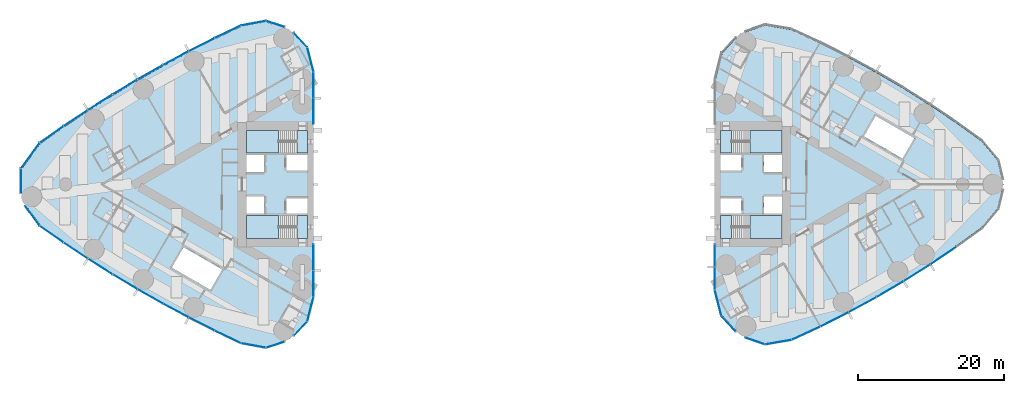
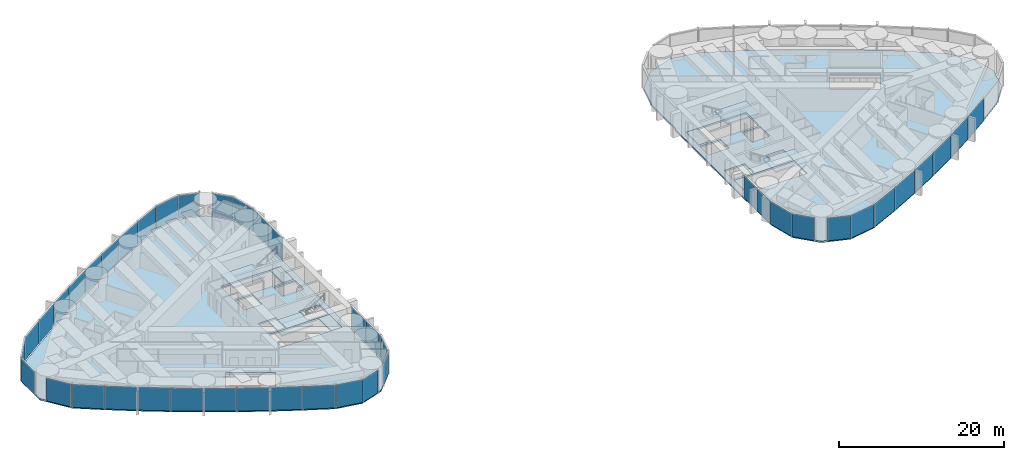
# One storey, part 10 of 19: 43 plates, 10 slabs, 10 elements without a shape of their own.
"""IFC4 building model written with IfcOpenShell, lengths in metres."""

import ifcopenshell
import ifcopenshell.guid

model = None  # the IFC model being written
_history = None  # IfcOwnerHistory: only IFC2X3 demands one
_inside = {}  # id of a spatial element -> (the spatial element, [elements in it])
_under = {}  # id of a project, library or spatial element -> (it, [spatial elements below it])
_declared = {}  # id of a project -> (the project, [libraries it declares])
_typed = {}  # id of a type object -> (the type object, [elements of that type])
_made_of = {}  # id of a material, layer set ... -> (it, [elements and type objects made of it])


def new_model(schema):
    """Start an empty IFC model of exactly this schema.

    Asked for "IFC4X3", IfcOpenShell would pick the latest addendum, in which some entities
    have other attributes; the version numbers below select the first issue.
    IFC2X3 requires an IfcOwnerHistory on every rooted entity: one is made here for all.
    """
    global model, _history
    if schema == "IFC4X3":
        model = ifcopenshell.file(schema_version=(4, 3, 0, 0))
    else:
        model = ifcopenshell.file(schema=schema)
    _inside.clear()
    _under.clear()
    _declared.clear()
    _typed.clear()
    _made_of.clear()
    _history = None
    if model.schema == "IFC2X3":
        org = make("IfcOrganization", Name="unknown")
        user = make(
            "IfcPersonAndOrganization",
            ThePerson=make("IfcPerson", FamilyName="unknown"),
            TheOrganization=org,
        )
        app = make(
            "IfcApplication",
            ApplicationDeveloper=org,
            Version="unknown",
            ApplicationFullName="unknown",
            ApplicationIdentifier="unknown",
        )
        _history = make(
            "IfcOwnerHistory",
            OwningUser=user,
            OwningApplication=app,
            ChangeAction="ADDED",
            CreationDate=0,
        )
    return model


def make(cls, **values):
    """One entity of the class cls with the attributes given. An attribute that is None is left unset."""
    return model.create_entity(
        cls, **{name: value for name, value in values.items() if value is not None}
    )


def rooted(cls, **values):
    """An entity with a GlobalId (a new one), such as an element, a storey or a relation."""
    return make(cls, GlobalId=ifcopenshell.guid.new(), OwnerHistory=_history, **values)


def si_unit(unit_type, name, prefix=None):
    """IfcSIUnit, for example si_unit("LENGTHUNIT", "METRE", prefix="MILLI")."""
    return make("IfcSIUnit", UnitType=unit_type, Prefix=prefix, Name=name)


def assignment(units):
    """IfcUnitAssignment: the units of a project."""
    return None if units is None else make("IfcUnitAssignment", Units=units)


def point(xyz):
    """IfcCartesianPoint."""
    return None if xyz is None else make("IfcCartesianPoint", Coordinates=xyz)


def direction(xyz):
    """IfcDirection."""
    return None if xyz is None else make("IfcDirection", DirectionRatios=xyz)


def frame(location, z_axis=None, x_axis=None):
    """IfcAxis2Placement3D, a coordinate frame: its origin and axes. An axis left out is left unset."""
    return make(
        "IfcAxis2Placement3D",
        Location=point(location),
        Axis=direction(z_axis),
        RefDirection=direction(x_axis),
    )


def frame_2d(location, x_axis=None):
    """IfcAxis2Placement2D, a coordinate frame in the plane: its origin and x axis."""
    return make(
        "IfcAxis2Placement2D", Location=point(location), RefDirection=direction(x_axis)
    )


def origin():
    """The frame at (0, 0, 0) with its axes left unset."""
    return frame((0.0, 0.0, 0.0))


def origin_2d():
    """The frame at (0, 0) in the plane with its x axis left unset."""
    return frame_2d((0.0, 0.0))


def place(relative_to, where):
    """IfcLocalPlacement: puts the frame where relative to a parent placement (None: the world)."""
    return make(
        "IfcLocalPlacement", PlacementRelTo=relative_to, RelativePlacement=where
    )


def context(
    kind, dimensions, precision=None, world=None, true_north=None, identifier=None
):
    """IfcGeometricRepresentationContext, for example the 3D "Model" context."""
    return make(
        "IfcGeometricRepresentationContext",
        ContextIdentifier=identifier,
        ContextType=kind,
        CoordinateSpaceDimension=dimensions,
        Precision=precision,
        WorldCoordinateSystem=world,
        TrueNorth=true_north,
    )


def subcontext(parent, identifier, kind, view, scale=None):
    """IfcGeometricRepresentationSubContext, for example "Body" below "Model"."""
    return make(
        "IfcGeometricRepresentationSubContext",
        ContextIdentifier=identifier,
        ContextType=kind,
        ParentContext=parent,
        TargetScale=scale,
        TargetView=view,
    )


def project(units=None, contexts=None):
    """IfcProject with its units and contexts."""
    return rooted(
        "IfcProject",
        Name="project",
        RepresentationContexts=contexts,
        UnitsInContext=assignment(units),
    )


def spatial(cls, under=None, at=None, **own):
    """A site, building, storey or space (cls), placed at a placement, below another one or the project."""
    s = rooted(cls, ObjectPlacement=at, **own)
    if under is not None:
        _under.setdefault(under.id(), (under, []))[1].append(s)
    return s


def polyline(points):
    """IfcPolyline through the points."""
    return make("IfcPolyline", Points=[point(p) for p in points])


def profile(cls, at=None, kind="AREA", **sizes):
    """A parametric profile (cls). Its sizes go by their IFC names, for example OverallWidth=200.0."""
    return make(cls, ProfileType=kind, Position=at, **sizes)


def rectangle(**sizes):
    """IfcRectangleProfileDef."""
    return profile("IfcRectangleProfileDef", **sizes)


def outline(outer, holes=None, kind="AREA"):
    """IfcArbitraryClosedProfileDef: a profile drawn as a closed curve; with holes, ...WithVoids."""
    if holes is None:
        return make("IfcArbitraryClosedProfileDef", ProfileType=kind, OuterCurve=outer)
    return make(
        "IfcArbitraryProfileDefWithVoids",
        ProfileType=kind,
        OuterCurve=outer,
        InnerCurves=holes,
    )


def extrude(swept, where, along, depth):
    """IfcExtrudedAreaSolid: the profile swept, set in the frame where, extruded along a direction by depth."""
    return make(
        "IfcExtrudedAreaSolid",
        SweptArea=swept,
        Position=where,
        ExtrudedDirection=direction(along),
        Depth=depth,
    )


def shape(context_of_items, identifier, shape_type, items):
    """IfcShapeRepresentation: the items that make up one representation, for example the "Body"."""
    return make(
        "IfcShapeRepresentation",
        ContextOfItems=context_of_items,
        RepresentationIdentifier=identifier,
        RepresentationType=shape_type,
        Items=items,
    )


def material(Name=None, Category=None):
    """IfcMaterial."""
    return make("IfcMaterial", Name=Name, Category=Category)


def layer(
    of_material, thickness, ventilated=None, Name=None, Category=None, Priority=None
):
    """IfcMaterialLayer: one layer of a wall or slab, of a material (None: an air gap)."""
    return make(
        "IfcMaterialLayer",
        Material=of_material,
        LayerThickness=thickness,
        IsVentilated=ventilated,
        Name=Name,
        Category=Category,
        Priority=Priority,
    )


def layer_set(layers, Name=None):
    """IfcMaterialLayerSet."""
    return make("IfcMaterialLayerSet", MaterialLayers=layers, LayerSetName=Name)


def made_of(thing, what):
    """Note that an element or type object is made of a material, layer set ...; save() writes the relation."""
    if what is not None:
        _made_of.setdefault(what.id(), (what, []))[1].append(thing)
    return thing


def type_object(cls, material=None, **own):
    """A type object (cls), such as IfcWallType, which elements share."""
    return made_of(rooted(cls, **own), material)


def element(
    cls,
    number,
    at=None,
    inside=None,
    cuts=None,
    type_object=None,
    material=None,
    context=None,
    identifier="Body",
    shape_type=None,
    held_by="IfcProductDefinitionShape",
    body=None,
    shapes=None,
    **own,
):
    """One element of the class cls, such as IfcWall. Its Tag is "e" and its number.

    at: its placement. inside: the storey or other place that contains it. cuts: it is an
    opening in that element (IfcRelVoidsElement). A single representation is given by context,
    identifier, shape_type and body (its items); several are given by shapes. held_by: the class
    of the entity that holds the representations. save() writes the other relations.
    """
    e = rooted(cls, Tag="e%d" % number, ObjectPlacement=at, **own)
    if body is not None:
        shapes = [shape(context, identifier, shape_type, body)]
    if shapes is not None:
        e.Representation = make(held_by, Representations=shapes)
    if inside is not None:
        _inside.setdefault(inside.id(), (inside, []))[1].append(e)
    if cuts is not None:
        rooted(
            "IfcRelVoidsElement", RelatingBuildingElement=cuts, RelatedOpeningElement=e
        )
    if type_object is not None:
        _typed.setdefault(type_object.id(), (type_object, []))[1].append(e)
    return made_of(e, material)


def aggregate(whole, parts):
    """IfcRelAggregates: a whole, such as a stair, and the parts it consists of."""
    return rooted("IfcRelAggregates", RelatingObject=whole, RelatedObjects=parts)


def save(model, path):
    """Write the relations noted so far, then the file.

    IfcRelAggregates (storeys below a building ...), IfcRelContainedInSpatialStructure (elements
    in a storey), IfcRelDefinesByType, IfcRelAssociatesMaterial and IfcRelDeclares: one each for
    every whole, place, type object, material and project.
    """
    for whole, parts in _under.values():
        aggregate(whole, parts)
    for where, things in _inside.values():
        rooted(
            "IfcRelContainedInSpatialStructure",
            RelatedElements=things,
            RelatingStructure=where,
        )
    for kind, things in _typed.values():
        rooted("IfcRelDefinesByType", RelatedObjects=things, RelatingType=kind)
    for what, things in _made_of.values():
        rooted("IfcRelAssociatesMaterial", RelatedObjects=things, RelatingMaterial=what)
    for by, libraries in _declared.values():
        rooted("IfcRelDeclares", RelatingContext=by, RelatedDefinitions=libraries)
    model.write(path)


model = new_model("IFC4")

# Units and contexts
model_context = context("Model", 3, precision=1e-05, world=origin(), true_north=direction((0.0, 1.0)))
body_context = subcontext(model_context, "Body", "Model", "MODEL_VIEW")
ifc_project = project(units=[si_unit("LENGTHUNIT", "METRE"), si_unit("AREAUNIT", "SQUARE_METRE"), si_unit("VOLUMEUNIT", "CUBIC_METRE"), si_unit("PLANEANGLEUNIT", "RADIAN"), si_unit("MASSUNIT", "GRAM", prefix="KILO")], contexts=[model_context])

# Site, building, storey
site_placement = place(None, origin())
site = spatial("IfcSite", under=ifc_project, at=site_placement, CompositionType="ELEMENT")
building_placement = place(site_placement, origin())
building = spatial("IfcBuilding", under=site, at=building_placement, Name="Lancet Gate Hotel", CompositionType="ELEMENT")
storey_placement = place(building_placement, frame((0.0, 0.0, 163.300048828125)))
storey = spatial("IfcBuildingStorey", under=building, at=storey_placement, Name="L43", CompositionType="ELEMENT", Elevation=163.300048828125)

# Slabs
ifc_material_1 = material(Name="Concrete C50/60", Category="concrete")
ifc_layer_1 = layer(ifc_material_1, 0.25)
ifc_layer_set_1 = layer_set([ifc_layer_1], Name="Floor slab 250")
slab_type_1 = type_object("IfcSlabType", Name="Floor slab 250", PredefinedType="FLOOR", material=ifc_layer_set_1)
slab_1_placement = place(storey_placement, frame((0.0, 0.0, -0.25)))
element("IfcSlab", 1, at=slab_1_placement, inside=storey, type_object=slab_type_1, Name="T1 L43 floor slab", PredefinedType="FLOOR", context=body_context, shape_type="SweptSolid", body=[
    extrude(outline(polyline([(-27.5, 8.60009765625), (-27.6201171875, 8.60009765625), (-27.6201171875, 15.408203125), (-28.46923828125, 18.7265625), (-30.797607421875, 21.217529296875), (-34.0361328125, 22.283935546875), (-37.403564453125, 21.660400390625), (-40.996826171875, 19.9453125), (-44.561767578125, 18.139404296875), (-48.0830078125, 16.250244140625), (-51.558837890625, 14.27880859375), (-54.987548828125, 12.22607421875), (-58.366943359375, 10.09326171875), (-61.695068359375, 7.881591796875), (-64.955322265625, 5.602783203125), (-67.49560546875, 2.138427734375), (-67.49560546875, -2.138427734375), (-64.955322265625, -5.602783203125), (-61.695068359375, -7.881591796875), (-58.366943359375, -10.09326171875), (-54.987548828125, -12.22607421875), (-51.558837890625, -14.27880859375), (-48.0830078125, -16.250244140625), (-44.561767578125, -18.139404296875), (-40.996826171875, -19.9453125), (-37.403564453125, -21.660400390625), (-34.0361328125, -22.283935546875), (-30.797607421875, -21.217529296875), (-28.46923828125, -18.7265625), (-27.6201171875, -15.408203125), (-27.6201171875, -8.60009765625), (-27.5, -8.60009765625), (-27.5, -8.199951171875), (-27.5, 8.199951171875), (-27.5, 8.60009765625)]), holes=[polyline([(-36.699951171875, 7.39990234375), (-36.699951171875, 4.300048828125), (-28.300048828125, 4.300048828125), (-28.300048828125, 7.39990234375), (-36.699951171875, 7.39990234375)]), polyline([(-28.300048828125, 4.0), (-31.199951171875, 4.0), (-31.199951171875, 1.89990234375), (-28.300048828125, 1.89990234375), (-28.300048828125, 4.0)]), polyline([(-34.25, 4.0), (-36.699951171875, 4.0), (-36.699951171875, 1.64990234375), (-34.25, 1.64990234375), (-34.25, 4.0)]), polyline([(-36.699951171875, -1.64990234375), (-36.699951171875, -4.0), (-34.25, -4.0), (-34.25, -1.64990234375), (-36.699951171875, -1.64990234375)]), polyline([(-28.300048828125, -1.89990234375), (-31.199951171875, -1.89990234375), (-31.199951171875, -4.0), (-28.300048828125, -4.0), (-28.300048828125, -1.89990234375)]), polyline([(-28.300048828125, -4.300048828125), (-36.699951171875, -4.300048828125), (-36.699951171875, -7.39990234375), (-28.300048828125, -7.39990234375), (-28.300048828125, -4.300048828125)]), polyline([(-45.319091796875, -8.631103515625), (-46.9189453125, -11.402099609375), (-41.635986328125, -14.451904296875), (-40.035888671875, -11.680908203125), (-45.319091796875, -8.631103515625)])]), origin(), (0.0, 0.0, 1.0), 0.25),
])
slab_2_placement = place(storey_placement, frame((0.0, 0.0, -0.25)))
element("IfcSlab", 2, at=slab_2_placement, inside=storey, type_object=slab_type_1, Name="T2 L43 floor slab", PredefinedType="FLOOR", context=body_context, shape_type="SweptSolid", body=[
    extrude(outline(polyline([(27.5, -8.60009765625), (27.6201171875, -8.60009765625), (27.6201171875, -14.450439453125), (28.517822265625, -17.9853515625), (30.98291015625, -20.65185546875), (34.421875, -21.819091796875), (38.01513671875, -21.201171875), (41.9296875, -19.383056640625), (45.796875, -17.435302734375), (49.6005859375, -15.36572265625), (53.336669921875, -13.1767578125), (57.00146484375, -10.87060546875), (60.591552734375, -8.44921875), (64.092041015625, -5.9228515625), (66.283447265625, -3.307373046875), (67.06640625, 0.0), (66.283447265625, 3.307373046875), (64.092041015625, 5.9228515625), (60.591552734375, 8.44921875), (57.00146484375, 10.87060546875), (53.336669921875, 13.1767578125), (49.6005859375, 15.36572265625), (45.796875, 17.435302734375), (41.9296875, 19.383056640625), (38.01513671875, 21.201171875), (34.421875, 21.819091796875), (30.98291015625, 20.65185546875), (28.517822265625, 17.9853515625), (27.6201171875, 14.450439453125), (27.6201171875, 8.60009765625), (27.5, 8.60009765625), (27.5, 8.199951171875), (27.5, -8.199951171875), (27.5, -8.60009765625)]), holes=[polyline([(36.699951171875, -7.39990234375), (36.699951171875, -4.300048828125), (28.300048828125, -4.300048828125), (28.300048828125, -7.39990234375), (36.699951171875, -7.39990234375)]), polyline([(28.300048828125, -4.0), (31.199951171875, -4.0), (31.199951171875, -1.89990234375), (28.300048828125, -1.89990234375), (28.300048828125, -4.0)]), polyline([(34.25, -4.0), (36.699951171875, -4.0), (36.699951171875, -1.64990234375), (34.25, -1.64990234375), (34.25, -4.0)]), polyline([(36.699951171875, 1.64990234375), (36.699951171875, 4.0), (34.25, 4.0), (34.25, 1.64990234375), (36.699951171875, 1.64990234375)]), polyline([(28.300048828125, 1.89990234375), (31.199951171875, 1.89990234375), (31.199951171875, 4.0), (28.300048828125, 4.0), (28.300048828125, 1.89990234375)]), polyline([(28.300048828125, 4.300048828125), (36.699951171875, 4.300048828125), (36.699951171875, 7.39990234375), (28.300048828125, 7.39990234375), (28.300048828125, 4.300048828125)]), polyline([(53.242919921875, 3.555908203125), (54.843017578125, 6.326904296875), (49.56103515625, 9.376953125), (47.9609375, 6.60595703125), (53.242919921875, 3.555908203125)])]), origin(), (0.0, 0.0, 1.0), 0.25),
])

# Stair, slabs
ifc_material_2 = material(Name="Exit stair 20 risers 1500")
stair_type = type_object("IfcStairType", Name="Exit stair 20 risers 1500", PredefinedType="HALF_TURN_STAIR", material=ifc_material_2)
stair_1_placement = place(storey_placement, origin())
stair_1 = element("IfcStair", 3, at=stair_1_placement, inside=storey, type_object=stair_type, Name="T1 stair 1 L43", PredefinedType="HALF_TURN_STAIR")
ifc_material_3 = material(Name="Concrete C40/50", Category="concrete")
ifc_layer_2 = layer(ifc_material_3, 0.199951171875)
ifc_layer_set_2 = layer_set([ifc_layer_2], Name="Stair landing 200")
slab_type_2 = type_object("IfcSlabType", Name="Stair landing 200", PredefinedType="LANDING", material=ifc_layer_set_2)
slab_3_placement = place(storey_placement, frame((0.0, 0.0, -0.199951171875)))
slab_3 = element("IfcSlab", 4, at=slab_3_placement, type_object=slab_type_2, Name="ST1 landing 1", PredefinedType="LANDING", context=body_context, shape_type="SweptSolid", body=[
    extrude(outline(polyline([(-28.300048828125, 7.39990234375), (-29.800048828125, 7.39990234375), (-29.800048828125, 4.300048828125), (-28.300048828125, 4.300048828125), (-28.300048828125, 7.39990234375)])), origin(), (0.0, 0.0, 1.0), 0.199951171875),
])
slab_4_placement = place(storey_placement, frame((0.0, 0.0, 1.550048828125)))
slab_4 = element("IfcSlab", 5, at=slab_4_placement, type_object=slab_type_2, Name="ST1 landing 2", PredefinedType="LANDING", context=body_context, shape_type="SweptSolid", body=[
    extrude(outline(polyline([(-32.320068359375, 7.39990234375), (-36.699951171875, 7.39990234375), (-36.699951171875, 4.300048828125), (-32.320068359375, 4.300048828125), (-32.320068359375, 7.39990234375)])), origin(), (0.0, 0.0, 1.0), 0.199951171875),
])
aggregate(stair_1, [slab_3, slab_4])

stair_2_placement = place(storey_placement, origin())
stair_2 = element("IfcStair", 6, at=stair_2_placement, inside=storey, type_object=stair_type, Name="T1 stair 2 L43", PredefinedType="HALF_TURN_STAIR")
slab_5_placement = place(storey_placement, frame((0.0, 0.0, -0.199951171875)))
slab_5 = element("IfcSlab", 7, at=slab_5_placement, type_object=slab_type_2, Name="ST2 landing 1", PredefinedType="LANDING", context=body_context, shape_type="SweptSolid", body=[
    extrude(outline(polyline([(-28.300048828125, -4.300048828125), (-29.800048828125, -4.300048828125), (-29.800048828125, -7.39990234375), (-28.300048828125, -7.39990234375), (-28.300048828125, -4.300048828125)])), origin(), (0.0, 0.0, 1.0), 0.199951171875),
])
slab_6_placement = place(storey_placement, frame((0.0, 0.0, 1.550048828125)))
slab_6 = element("IfcSlab", 8, at=slab_6_placement, type_object=slab_type_2, Name="ST2 landing 2", PredefinedType="LANDING", context=body_context, shape_type="SweptSolid", body=[
    extrude(outline(polyline([(-32.320068359375, -4.300048828125), (-36.699951171875, -4.300048828125), (-36.699951171875, -7.39990234375), (-32.320068359375, -7.39990234375), (-32.320068359375, -4.300048828125)])), origin(), (0.0, 0.0, 1.0), 0.199951171875),
])
aggregate(stair_2, [slab_5, slab_6])

stair_3_placement = place(storey_placement, origin())
stair_3 = element("IfcStair", 9, at=stair_3_placement, inside=storey, type_object=stair_type, Name="T2 stair 1 L43", PredefinedType="HALF_TURN_STAIR")
slab_7_placement = place(storey_placement, frame((0.0, 0.0, -0.199951171875)))
slab_7 = element("IfcSlab", 10, at=slab_7_placement, type_object=slab_type_2, Name="ST3 landing 1", PredefinedType="LANDING", context=body_context, shape_type="SweptSolid", body=[
    extrude(outline(polyline([(28.300048828125, -7.39990234375), (29.800048828125, -7.39990234375), (29.800048828125, -4.300048828125), (28.300048828125, -4.300048828125), (28.300048828125, -7.39990234375)])), origin(), (0.0, 0.0, 1.0), 0.199951171875),
])
slab_8_placement = place(storey_placement, frame((0.0, 0.0, 1.550048828125)))
slab_8 = element("IfcSlab", 11, at=slab_8_placement, type_object=slab_type_2, Name="ST3 landing 2", PredefinedType="LANDING", context=body_context, shape_type="SweptSolid", body=[
    extrude(outline(polyline([(32.320068359375, -7.39990234375), (36.699951171875, -7.39990234375), (36.699951171875, -4.300048828125), (32.320068359375, -4.300048828125), (32.320068359375, -7.39990234375)])), origin(), (0.0, 0.0, 1.0), 0.199951171875),
])
aggregate(stair_3, [slab_7, slab_8])

stair_4_placement = place(storey_placement, origin())
stair_4 = element("IfcStair", 12, at=stair_4_placement, inside=storey, type_object=stair_type, Name="T2 stair 2 L43", PredefinedType="HALF_TURN_STAIR")
slab_9_placement = place(storey_placement, frame((0.0, 0.0, -0.199951171875)))
slab_9 = element("IfcSlab", 13, at=slab_9_placement, type_object=slab_type_2, Name="ST4 landing 1", PredefinedType="LANDING", context=body_context, shape_type="SweptSolid", body=[
    extrude(outline(polyline([(28.300048828125, 4.300048828125), (29.800048828125, 4.300048828125), (29.800048828125, 7.39990234375), (28.300048828125, 7.39990234375), (28.300048828125, 4.300048828125)])), origin(), (0.0, 0.0, 1.0), 0.199951171875),
])
slab_10_placement = place(storey_placement, frame((0.0, 0.0, 1.550048828125)))
slab_10 = element("IfcSlab", 14, at=slab_10_placement, type_object=slab_type_2, Name="ST4 landing 2", PredefinedType="LANDING", context=body_context, shape_type="SweptSolid", body=[
    extrude(outline(polyline([(32.320068359375, 4.300048828125), (36.699951171875, 4.300048828125), (36.699951171875, 7.39990234375), (32.320068359375, 7.39990234375), (32.320068359375, 4.300048828125)])), origin(), (0.0, 0.0, 1.0), 0.199951171875),
])
aggregate(stair_4, [slab_9, slab_10])

# Curtain wall, plates
ifc_material_4 = material(Name="Aluminium curtain wall", Category="aluminium")
curtain_wall_type = type_object("IfcCurtainWallType", Name="Tower unitised curtain wall", PredefinedType="USERDEFINED", material=ifc_material_4)
curtain_wall_1_placement = place(storey_placement, origin())
curtain_wall_1 = element("IfcCurtainWall", 15, at=curtain_wall_1_placement, inside=storey, type_object=curtain_wall_type, Name="T1 L43 curtain wall 1", ObjectType="UNITISED CURTAIN WALL", PredefinedType="USERDEFINED")
ifc_material_5 = material(Name="Glass double glazed unit 8-16-6", Category="glass")
ifc_layer_3 = layer(ifc_material_5, 0.030029296875)
ifc_layer_set_3 = layer_set([ifc_layer_3], Name="Vision panel double glazed")
plate_type = type_object("IfcPlateType", Name="Vision panel double glazed", PredefinedType="CURTAIN_PANEL", material=ifc_layer_set_3)
plate_1_placement = place(storey_placement, frame((-27.5, 10.005859375, 0.0), z_axis=(0.0, 0.0, 1.0), x_axis=(0.0, 1.0, 0.0)))
plate_1 = element("IfcPlate", 16, at=plate_1_placement, type_object=plate_type, Name="T1 L43 curtain wall 1 panel 1", PredefinedType="CURTAIN_PANEL", context=body_context, shape_type="SweptSolid", body=[
    extrude(rectangle(XDim=3.546630859375, YDim=0.030029296875, at=origin_2d()), origin(), (0.0, 0.0, 1.0), 3.35009765625),
])
plate_2_placement = place(storey_placement, frame((-27.5, 13.617431640625, 0.0), z_axis=(0.0, 0.0, 1.0), x_axis=(0.0, 1.0, 0.0)))
plate_2 = element("IfcPlate", 17, at=plate_2_placement, type_object=plate_type, Name="T1 L43 curtain wall 1 panel 2", PredefinedType="CURTAIN_PANEL", context=body_context, shape_type="SweptSolid", body=[
    extrude(rectangle(XDim=3.546630859375, YDim=0.030029296875, at=origin_2d()), origin(), (0.0, 0.0, 1.0), 3.35009765625),
])
plate_3_placement = place(storey_placement, frame((-27.930419921875, 17.104736328125, 0.0), z_axis=(0.0, 0.0, 1.0), x_axis=(-0.247936754654, 0.968776220647, 0.0)))
plate_3 = element("IfcPlate", 18, at=plate_3_placement, type_object=plate_type, Name="T1 L43 curtain wall 1 panel 3", PredefinedType="CURTAIN_PANEL", context=body_context, shape_type="SweptSolid", body=[
    extrude(rectangle(XDim=3.406005859375, YDim=0.030029296875, at=origin_2d()), origin(), (0.0, 0.0, 1.0), 3.35009765625),
])
plate_4_placement = place(storey_placement, frame((-29.28564453125, 19.77587890625, 0.0), z_axis=(0.0, 0.0, 1.0), x_axis=(-0.682844962172, 0.730563315282, 0.0)))
plate_4 = element("IfcPlate", 19, at=plate_4_placement, type_object=plate_type, Name="T1 L43 curtain wall 1 panel 4", PredefinedType="CURTAIN_PANEL", context=body_context, shape_type="SweptSolid", body=[
    extrude(rectangle(XDim=2.64453125, YDim=0.030029296875, at=origin_2d()), origin(), (0.0, 0.0, 1.0), 3.35009765625),
])
aggregate(curtain_wall_1, [plate_1, plate_2, plate_3, plate_4])

curtain_wall_2_placement = place(storey_placement, origin())
curtain_wall_2 = element("IfcCurtainWall", 20, at=curtain_wall_2_placement, inside=storey, type_object=curtain_wall_type, Name="T1 L43 curtain wall 2", ObjectType="UNITISED CURTAIN WALL", PredefinedType="USERDEFINED")
plate_5_placement = place(storey_placement, frame((-32.740234375, 21.983642578125, 0.0), z_axis=(0.0, 0.0, 1.0), x_axis=(-0.949848055084, 0.312711803827, 0.0)))
plate_5 = element("IfcPlate", 21, at=plate_5_placement, type_object=plate_type, Name="T1 L43 curtain wall 2 panel 1", PredefinedType="CURTAIN_PANEL", context=body_context, shape_type="SweptSolid", body=[
    extrude(rectangle(XDim=2.64599609375, YDim=0.030029296875, at=origin_2d()), origin(), (0.0, 0.0, 1.0), 3.35009765625),
])
plate_6_placement = place(storey_placement, frame((-35.734375, 22.091552734375, 0.0), z_axis=(0.0, 0.0, 1.0), x_axis=(-0.983292499426, -0.182032581075, 0.0)))
plate_6 = element("IfcPlate", 22, at=plate_6_placement, type_object=plate_type, Name="T1 L43 curtain wall 2 panel 2", PredefinedType="CURTAIN_PANEL", context=body_context, shape_type="SweptSolid", body=[
    extrude(rectangle(XDim=3.406005859375, YDim=0.030029296875, at=origin_2d()), origin(), (0.0, 0.0, 1.0), 3.35009765625),
])
plate_7_placement = place(storey_placement, frame((-39.245361328125, 20.914306640625, 0.0), z_axis=(0.0, 0.0, 1.0), x_axis=(-0.902453530018, -0.430787216799, 0.0)))
plate_7 = element("IfcPlate", 23, at=plate_7_placement, type_object=plate_type, Name="T1 L43 curtain wall 2 panel 3", PredefinedType="CURTAIN_PANEL", context=body_context, shape_type="SweptSolid", body=[
    extrude(rectangle(XDim=3.933837890625, YDim=0.030029296875, at=origin_2d()), origin(), (0.0, 0.0, 1.0), 3.35009765625),
])
plate_8_placement = place(storey_placement, frame((-42.83349609375, 19.1494140625, 0.0), z_axis=(0.0, 0.0, 1.0), x_axis=(-0.892071119911, -0.451895028762, 0.0)))
plate_8 = element("IfcPlate", 24, at=plate_8_placement, type_object=plate_type, Name="T1 L43 curtain wall 2 panel 4", PredefinedType="CURTAIN_PANEL", context=body_context, shape_type="SweptSolid", body=[
    extrude(rectangle(XDim=3.933837890625, YDim=0.030029296875, at=origin_2d()), origin(), (0.0, 0.0, 1.0), 3.35009765625),
])
plate_9_placement = place(storey_placement, frame((-46.379150390625, 17.300537109375, 0.0), z_axis=(0.0, 0.0, 1.0), x_axis=(-0.881195096384, -0.472752791751, 0.0)))
plate_9 = element("IfcPlate", 25, at=plate_9_placement, type_object=plate_type, Name="T1 L43 curtain wall 2 panel 5", PredefinedType="CURTAIN_PANEL", context=body_context, shape_type="SweptSolid", body=[
    extrude(rectangle(XDim=3.933837890625, YDim=0.030029296875, at=origin_2d()), origin(), (0.0, 0.0, 1.0), 3.35009765625),
])
plate_10_placement = place(storey_placement, frame((-49.880126953125, 15.368896484375, 0.0), z_axis=(0.0, 0.0, 1.0), x_axis=(-0.869831477496, -0.493348964484, 0.0)))
plate_10 = element("IfcPlate", 26, at=plate_10_placement, type_object=plate_type, Name="T1 L43 curtain wall 2 panel 6", PredefinedType="CURTAIN_PANEL", context=body_context, shape_type="SweptSolid", body=[
    extrude(rectangle(XDim=3.933837890625, YDim=0.030029296875, at=origin_2d()), origin(), (0.0, 0.0, 1.0), 3.35009765625),
])
plate_11_placement = place(storey_placement, frame((-53.3349609375, 13.35546875, 0.0), z_axis=(0.0, 0.0, 1.0), x_axis=(-0.857986551132, -0.51367215038, 0.0)))
plate_11 = element("IfcPlate", 27, at=plate_11_placement, type_object=plate_type, Name="T1 L43 curtain wall 2 panel 7", PredefinedType="CURTAIN_PANEL", context=body_context, shape_type="SweptSolid", body=[
    extrude(rectangle(XDim=3.933837890625, YDim=0.030029296875, at=origin_2d()), origin(), (0.0, 0.0, 1.0), 3.35009765625),
])
plate_12_placement = place(storey_placement, frame((-56.7412109375, 11.26123046875, 0.0), z_axis=(0.0, 0.0, 1.0), x_axis=(-0.845666871497, -0.533711103925, 0.0)))
plate_12 = element("IfcPlate", 28, at=plate_12_placement, type_object=plate_type, Name="T1 L43 curtain wall 2 panel 8", PredefinedType="CURTAIN_PANEL", context=body_context, shape_type="SweptSolid", body=[
    extrude(rectangle(XDim=3.933837890625, YDim=0.030029296875, at=origin_2d()), origin(), (0.0, 0.0, 1.0), 3.35009765625),
])
plate_13_placement = place(storey_placement, frame((-60.097412109375, 9.08740234375, 0.0), z_axis=(0.0, 0.0, 1.0), x_axis=(-0.832879255498, -0.553454736867, 0.0)))
plate_13 = element("IfcPlate", 29, at=plate_13_placement, type_object=plate_type, Name="T1 L43 curtain wall 2 panel 9", PredefinedType="CURTAIN_PANEL", context=body_context, shape_type="SweptSolid", body=[
    extrude(rectangle(XDim=3.933837890625, YDim=0.030029296875, at=origin_2d()), origin(), (0.0, 0.0, 1.0), 3.35009765625),
])
plate_14_placement = place(storey_placement, frame((-63.401611328125, 6.835205078125, 0.0), z_axis=(0.0, 0.0, 1.0), x_axis=(-0.819630778943, -0.572892124409, 0.0)))
plate_14 = element("IfcPlate", 30, at=plate_14_placement, type_object=plate_type, Name="T1 L43 curtain wall 2 panel 10", PredefinedType="CURTAIN_PANEL", context=body_context, shape_type="SweptSolid", body=[
    extrude(rectangle(XDim=3.933837890625, YDim=0.030029296875, at=origin_2d()), origin(), (0.0, 0.0, 1.0), 3.35009765625),
])
plate_15_placement = place(storey_placement, frame((-66.328125, 3.933837890625, 0.0), z_axis=(0.0, 0.0, 1.0), x_axis=(-0.591299785592, -0.806451835858, 0.0)))
plate_15 = element("IfcPlate", 31, at=plate_15_placement, type_object=plate_type, Name="T1 L43 curtain wall 2 panel 11", PredefinedType="CURTAIN_PANEL", context=body_context, shape_type="SweptSolid", body=[
    extrude(rectangle(XDim=4.290283203125, YDim=0.030029296875, at=origin_2d()), origin(), (0.0, 0.0, 1.0), 3.35009765625),
])
plate_16_placement = place(storey_placement, frame((-67.61572265625, 0.478515625, 0.0), z_axis=(0.0, 0.0, 1.0), x_axis=(0.0, -1.0, 0.0)))
plate_16 = element("IfcPlate", 32, at=plate_16_placement, type_object=plate_type, Name="T1 L43 curtain wall 2 panel 12", PredefinedType="CURTAIN_PANEL", context=body_context, shape_type="SweptSolid", body=[
    extrude(rectangle(XDim=3.333251953125, YDim=0.030029296875, at=origin_2d()), origin(), (0.0, 0.0, 1.0), 3.35009765625),
])
aggregate(curtain_wall_2, [plate_5, plate_6, plate_7, plate_8, plate_9, plate_10, plate_11, plate_12, plate_13, plate_14, plate_15, plate_16])

curtain_wall_3_placement = place(storey_placement, origin())
curtain_wall_3 = element("IfcCurtainWall", 33, at=curtain_wall_3_placement, inside=storey, type_object=curtain_wall_type, Name="T1 L43 curtain wall 3", ObjectType="UNITISED CURTAIN WALL", PredefinedType="USERDEFINED")
plate_17_placement = place(storey_placement, frame((-66.04541015625, -4.3193359375, 0.0), z_axis=(0.0, 0.0, 1.0), x_axis=(0.591299785592, -0.806451835858, 0.0)))
plate_17 = element("IfcPlate", 34, at=plate_17_placement, type_object=plate_type, Name="T1 L43 curtain wall 3 panel 1", PredefinedType="CURTAIN_PANEL", context=body_context, shape_type="SweptSolid", body=[
    extrude(rectangle(XDim=3.334228515625, YDim=0.030029296875, at=origin_2d()), origin(), (0.0, 0.0, 1.0), 3.35009765625),
])
plate_18_placement = place(storey_placement, frame((-63.401611328125, -6.835205078125, 0.0), z_axis=(0.0, 0.0, 1.0), x_axis=(0.819630778943, -0.572892124409, 0.0)))
plate_18 = element("IfcPlate", 35, at=plate_18_placement, type_object=plate_type, Name="T1 L43 curtain wall 3 panel 2", PredefinedType="CURTAIN_PANEL", context=body_context, shape_type="SweptSolid", body=[
    extrude(rectangle(XDim=3.933837890625, YDim=0.030029296875, at=origin_2d()), origin(), (0.0, 0.0, 1.0), 3.35009765625),
])
plate_19_placement = place(storey_placement, frame((-60.097412109375, -9.08740234375, 0.0), z_axis=(0.0, 0.0, 1.0), x_axis=(0.832879255498, -0.553454736867, 0.0)))
plate_19 = element("IfcPlate", 36, at=plate_19_placement, type_object=plate_type, Name="T1 L43 curtain wall 3 panel 3", PredefinedType="CURTAIN_PANEL", context=body_context, shape_type="SweptSolid", body=[
    extrude(rectangle(XDim=3.933837890625, YDim=0.030029296875, at=origin_2d()), origin(), (0.0, 0.0, 1.0), 3.35009765625),
])
plate_20_placement = place(storey_placement, frame((-56.7412109375, -11.26123046875, 0.0), z_axis=(0.0, 0.0, 1.0), x_axis=(0.845666871497, -0.533711103925, 0.0)))
plate_20 = element("IfcPlate", 37, at=plate_20_placement, type_object=plate_type, Name="T1 L43 curtain wall 3 panel 4", PredefinedType="CURTAIN_PANEL", context=body_context, shape_type="SweptSolid", body=[
    extrude(rectangle(XDim=3.933837890625, YDim=0.030029296875, at=origin_2d()), origin(), (0.0, 0.0, 1.0), 3.35009765625),
])
plate_21_placement = place(storey_placement, frame((-53.3349609375, -13.35546875, 0.0), z_axis=(0.0, 0.0, 1.0), x_axis=(0.857986551132, -0.51367215038, 0.0)))
plate_21 = element("IfcPlate", 38, at=plate_21_placement, type_object=plate_type, Name="T1 L43 curtain wall 3 panel 5", PredefinedType="CURTAIN_PANEL", context=body_context, shape_type="SweptSolid", body=[
    extrude(rectangle(XDim=3.933837890625, YDim=0.030029296875, at=origin_2d()), origin(), (0.0, 0.0, 1.0), 3.35009765625),
])
plate_22_placement = place(storey_placement, frame((-49.880126953125, -15.368896484375, 0.0), z_axis=(0.0, 0.0, 1.0), x_axis=(0.869831477496, -0.493348964484, 0.0)))
plate_22 = element("IfcPlate", 39, at=plate_22_placement, type_object=plate_type, Name="T1 L43 curtain wall 3 panel 6", PredefinedType="CURTAIN_PANEL", context=body_context, shape_type="SweptSolid", body=[
    extrude(rectangle(XDim=3.933837890625, YDim=0.030029296875, at=origin_2d()), origin(), (0.0, 0.0, 1.0), 3.35009765625),
])
plate_23_placement = place(storey_placement, frame((-46.379150390625, -17.300537109375, 0.0), z_axis=(0.0, 0.0, 1.0), x_axis=(0.881195096384, -0.472752791751, 0.0)))
plate_23 = element("IfcPlate", 40, at=plate_23_placement, type_object=plate_type, Name="T1 L43 curtain wall 3 panel 7", PredefinedType="CURTAIN_PANEL", context=body_context, shape_type="SweptSolid", body=[
    extrude(rectangle(XDim=3.933837890625, YDim=0.030029296875, at=origin_2d()), origin(), (0.0, 0.0, 1.0), 3.35009765625),
])
plate_24_placement = place(storey_placement, frame((-42.83349609375, -19.1494140625, 0.0), z_axis=(0.0, 0.0, 1.0), x_axis=(0.892071119911, -0.451895028762, 0.0)))
plate_24 = element("IfcPlate", 41, at=plate_24_placement, type_object=plate_type, Name="T1 L43 curtain wall 3 panel 8", PredefinedType="CURTAIN_PANEL", context=body_context, shape_type="SweptSolid", body=[
    extrude(rectangle(XDim=3.933837890625, YDim=0.030029296875, at=origin_2d()), origin(), (0.0, 0.0, 1.0), 3.35009765625),
])
plate_25_placement = place(storey_placement, frame((-39.245361328125, -20.914306640625, 0.0), z_axis=(0.0, 0.0, 1.0), x_axis=(0.902453530018, -0.430787216799, 0.0)))
plate_25 = element("IfcPlate", 42, at=plate_25_placement, type_object=plate_type, Name="T1 L43 curtain wall 3 panel 9", PredefinedType="CURTAIN_PANEL", context=body_context, shape_type="SweptSolid", body=[
    extrude(rectangle(XDim=3.933837890625, YDim=0.030029296875, at=origin_2d()), origin(), (0.0, 0.0, 1.0), 3.35009765625),
])
plate_26_placement = place(storey_placement, frame((-35.734375, -22.091552734375, 0.0), z_axis=(0.0, 0.0, 1.0), x_axis=(0.983292499426, -0.182032581075, 0.0)))
plate_26 = element("IfcPlate", 43, at=plate_26_placement, type_object=plate_type, Name="T1 L43 curtain wall 3 panel 10", PredefinedType="CURTAIN_PANEL", context=body_context, shape_type="SweptSolid", body=[
    extrude(rectangle(XDim=3.406005859375, YDim=0.030029296875, at=origin_2d()), origin(), (0.0, 0.0, 1.0), 3.35009765625),
])
plate_27_placement = place(storey_placement, frame((-32.740234375, -21.983642578125, 0.0), z_axis=(0.0, 0.0, 1.0), x_axis=(0.949848055084, 0.312711803827, 0.0)))
plate_27 = element("IfcPlate", 44, at=plate_27_placement, type_object=plate_type, Name="T1 L43 curtain wall 3 panel 11", PredefinedType="CURTAIN_PANEL", context=body_context, shape_type="SweptSolid", body=[
    extrude(rectangle(XDim=2.64599609375, YDim=0.030029296875, at=origin_2d()), origin(), (0.0, 0.0, 1.0), 3.35009765625),
])
aggregate(curtain_wall_3, [plate_17, plate_18, plate_19, plate_20, plate_21, plate_22, plate_23, plate_24, plate_25, plate_26, plate_27])

curtain_wall_4_placement = place(storey_placement, origin())
curtain_wall_4 = element("IfcCurtainWall", 45, at=curtain_wall_4_placement, inside=storey, type_object=curtain_wall_type, Name="T1 L43 curtain wall 4", ObjectType="UNITISED CURTAIN WALL", PredefinedType="USERDEFINED")
plate_28_placement = place(storey_placement, frame((-29.28564453125, -19.77587890625, 0.0), z_axis=(0.0, 0.0, 1.0), x_axis=(0.682844962172, 0.730563315282, 0.0)))
plate_28 = element("IfcPlate", 46, at=plate_28_placement, type_object=plate_type, Name="T1 L43 curtain wall 4 panel 1", PredefinedType="CURTAIN_PANEL", context=body_context, shape_type="SweptSolid", body=[
    extrude(rectangle(XDim=2.64453125, YDim=0.030029296875, at=origin_2d()), origin(), (0.0, 0.0, 1.0), 3.35009765625),
])
plate_29_placement = place(storey_placement, frame((-27.930419921875, -17.104736328125, 0.0), z_axis=(0.0, 0.0, 1.0), x_axis=(0.247936754654, 0.968776220647, 0.0)))
plate_29 = element("IfcPlate", 47, at=plate_29_placement, type_object=plate_type, Name="T1 L43 curtain wall 4 panel 2", PredefinedType="CURTAIN_PANEL", context=body_context, shape_type="SweptSolid", body=[
    extrude(rectangle(XDim=3.406005859375, YDim=0.030029296875, at=origin_2d()), origin(), (0.0, 0.0, 1.0), 3.35009765625),
])
plate_30_placement = place(storey_placement, frame((-27.5, -13.617431640625, 0.0), z_axis=(0.0, 0.0, 1.0), x_axis=(0.0, 1.0, 0.0)))
plate_30 = element("IfcPlate", 48, at=plate_30_placement, type_object=plate_type, Name="T1 L43 curtain wall 4 panel 3", PredefinedType="CURTAIN_PANEL", context=body_context, shape_type="SweptSolid", body=[
    extrude(rectangle(XDim=3.546630859375, YDim=0.030029296875, at=origin_2d()), origin(), (0.0, 0.0, 1.0), 3.35009765625),
])
plate_31_placement = place(storey_placement, frame((-27.5, -10.005859375, 0.0), z_axis=(0.0, 0.0, 1.0), x_axis=(0.0, 1.0, 0.0)))
plate_31 = element("IfcPlate", 49, at=plate_31_placement, type_object=plate_type, Name="T1 L43 curtain wall 4 panel 4", PredefinedType="CURTAIN_PANEL", context=body_context, shape_type="SweptSolid", body=[
    extrude(rectangle(XDim=3.546630859375, YDim=0.030029296875, at=origin_2d()), origin(), (0.0, 0.0, 1.0), 3.35009765625),
])
aggregate(curtain_wall_4, [plate_28, plate_29, plate_30, plate_31])

curtain_wall_5_placement = place(storey_placement, origin())
curtain_wall_5 = element("IfcCurtainWall", 50, at=curtain_wall_5_placement, inside=storey, type_object=curtain_wall_type, Name="T2 L43 curtain wall 1", ObjectType="UNITISED CURTAIN WALL", PredefinedType="USERDEFINED")
plate_32_placement = place(storey_placement, frame((27.5, -9.766357421875, 0.0), z_axis=(0.0, 0.0, 1.0), x_axis=(0.0, -1.0, 0.0)))
plate_32 = element("IfcPlate", 51, at=plate_32_placement, type_object=plate_type, Name="T2 L43 curtain wall 1 panel 1", PredefinedType="CURTAIN_PANEL", context=body_context, shape_type="SweptSolid", body=[
    extrude(rectangle(XDim=3.06787109375, YDim=0.030029296875, at=origin_2d()), origin(), (0.0, 0.0, 1.0), 3.35009765625),
])
plate_33_placement = place(storey_placement, frame((27.5, -12.899169921875, 0.0), z_axis=(0.0, 0.0, 1.0), x_axis=(0.0, -1.0, 0.0)))
plate_33 = element("IfcPlate", 52, at=plate_33_placement, type_object=plate_type, Name="T2 L43 curtain wall 1 panel 2", PredefinedType="CURTAIN_PANEL", context=body_context, shape_type="SweptSolid", body=[
    extrude(rectangle(XDim=3.06787109375, YDim=0.030029296875, at=origin_2d()), origin(), (0.0, 0.0, 1.0), 3.35009765625),
])
plate_34_placement = place(storey_placement, frame((27.95458984375, -16.2548828125, 0.0), z_axis=(0.0, 0.0, 1.0), x_axis=(0.246166705764, -0.969227503207, 0.0)))
plate_34 = element("IfcPlate", 53, at=plate_34_placement, type_object=plate_type, Name="T2 L43 curtain wall 1 panel 3", PredefinedType="CURTAIN_PANEL", context=body_context, shape_type="SweptSolid", body=[
    extrude(rectangle(XDim=3.62744140625, YDim=0.030029296875, at=origin_2d()), origin(), (0.0, 0.0, 1.0), 3.35009765625),
])
plate_35_placement = place(storey_placement, frame((29.4052734375, -19.122314453125, 0.0), z_axis=(0.0, 0.0, 1.0), x_axis=(0.67883123083, -0.734294327943, 0.0)))
plate_35 = element("IfcPlate", 54, at=plate_35_placement, type_object=plate_type, Name="T2 L43 curtain wall 1 panel 4", PredefinedType="CURTAIN_PANEL", context=body_context, shape_type="SweptSolid", body=[
    extrude(rectangle(XDim=2.87060546875, YDim=0.030029296875, at=origin_2d()), origin(), (0.0, 0.0, 1.0), 3.35009765625),
])
aggregate(curtain_wall_5, [plate_32, plate_33, plate_34, plate_35])

curtain_wall_6_placement = place(storey_placement, origin())
curtain_wall_6 = element("IfcCurtainWall", 55, at=curtain_wall_6_placement, inside=storey, type_object=curtain_wall_type, Name="T2 L43 curtain wall 2", ObjectType="UNITISED CURTAIN WALL", PredefinedType="USERDEFINED")
plate_36_placement = place(storey_placement, frame((33.02197265625, -21.470703125, 0.0), z_axis=(0.0, 0.0, 1.0), x_axis=(0.946952368511, -0.321373943827, 0.0)))
plate_36 = element("IfcPlate", 56, at=plate_36_placement, type_object=plate_type, Name="T2 L43 curtain wall 2 panel 1", PredefinedType="CURTAIN_PANEL", context=body_context, shape_type="SweptSolid", body=[
    extrude(rectangle(XDim=2.871337890625, YDim=0.030029296875, at=origin_2d()), origin(), (0.0, 0.0, 1.0), 3.35009765625),
])
plate_37_placement = place(storey_placement, frame((36.231689453125, -21.629638671875, 0.0), z_axis=(0.0, 0.0, 1.0), x_axis=(0.985539649572, 0.169444973729, 0.0)))
plate_37 = element("IfcPlate", 57, at=plate_37_placement, type_object=plate_type, Name="T2 L43 curtain wall 2 panel 2", PredefinedType="CURTAIN_PANEL", context=body_context, shape_type="SweptSolid", body=[
    extrude(rectangle(XDim=3.62744140625, YDim=0.030029296875, at=origin_2d()), origin(), (0.0, 0.0, 1.0), 3.35009765625),
])
plate_38_placement = place(storey_placement, frame((40.0166015625, -20.40380859375, 0.0), z_axis=(0.0, 0.0, 1.0), x_axis=(0.906934888522, 0.421270824982, 0.0)))
plate_38 = element("IfcPlate", 58, at=plate_38_placement, type_object=plate_type, Name="T2 L43 curtain wall 2 panel 3", PredefinedType="CURTAIN_PANEL", context=body_context, shape_type="SweptSolid", body=[
    extrude(rectangle(XDim=4.26904296875, YDim=0.030029296875, at=origin_2d()), origin(), (0.0, 0.0, 1.0), 3.35009765625),
])
plate_39_placement = place(storey_placement, frame((43.917236328125, -18.516357421875, 0.0), z_axis=(0.0, 0.0, 1.0), x_axis=(0.893121465596, 0.449815570752, 0.0)))
plate_39 = element("IfcPlate", 59, at=plate_39_placement, type_object=plate_type, Name="T2 L43 curtain wall 2 panel 4", PredefinedType="CURTAIN_PANEL", context=body_context, shape_type="SweptSolid", body=[
    extrude(rectangle(XDim=4.26904296875, YDim=0.030029296875, at=origin_2d()), origin(), (0.0, 0.0, 1.0), 3.35009765625),
])
plate_40_placement = place(storey_placement, frame((47.756103515625, -16.505859375, 0.0), z_axis=(0.0, 0.0, 1.0), x_axis=(0.878409907967, 0.477907976063, 0.0)))
plate_40 = element("IfcPlate", 60, at=plate_40_placement, type_object=plate_type, Name="T2 L43 curtain wall 2 panel 5", PredefinedType="CURTAIN_PANEL", context=body_context, shape_type="SweptSolid", body=[
    extrude(rectangle(XDim=4.26904296875, YDim=0.030029296875, at=origin_2d()), origin(), (0.0, 0.0, 1.0), 3.35009765625),
])
plate_41_placement = place(storey_placement, frame((51.529296875, -14.374755859375, 0.0), z_axis=(0.0, 0.0, 1.0), x_axis=(0.862815009772, 0.505519790822, 0.0)))
plate_41 = element("IfcPlate", 61, at=plate_41_placement, type_object=plate_type, Name="T2 L43 curtain wall 2 panel 6", PredefinedType="CURTAIN_PANEL", context=body_context, shape_type="SweptSolid", body=[
    extrude(rectangle(XDim=4.26904296875, YDim=0.030029296875, at=origin_2d()), origin(), (0.0, 0.0, 1.0), 3.35009765625),
])
plate_42_placement = place(storey_placement, frame((55.233154296875, -12.125244140625, 0.0), z_axis=(0.0, 0.0, 1.0), x_axis=(0.846352453444, 0.532623248225, 0.0)))
plate_42 = element("IfcPlate", 62, at=plate_42_placement, type_object=plate_type, Name="T2 L43 curtain wall 2 panel 7", PredefinedType="CURTAIN_PANEL", context=body_context, shape_type="SweptSolid", body=[
    extrude(rectangle(XDim=4.26904296875, YDim=0.030029296875, at=origin_2d()), origin(), (0.0, 0.0, 1.0), 3.35009765625),
])
plate_43_placement = place(storey_placement, frame((58.863525390625, -9.75927734375, 0.0), z_axis=(0.0, 0.0, 1.0), x_axis=(0.829038793948, 0.559191092677, 0.0)))
plate_43 = element("IfcPlate", 63, at=plate_43_placement, type_object=plate_type, Name="T2 L43 curtain wall 2 panel 8", PredefinedType="CURTAIN_PANEL", context=body_context, shape_type="SweptSolid", body=[
    extrude(rectangle(XDim=4.26904296875, YDim=0.030029296875, at=origin_2d()), origin(), (0.0, 0.0, 1.0), 3.35009765625),
])
aggregate(curtain_wall_6, [plate_36, plate_37, plate_38, plate_39, plate_40, plate_41, plate_42, plate_43])

save(model, "model.ifc")
